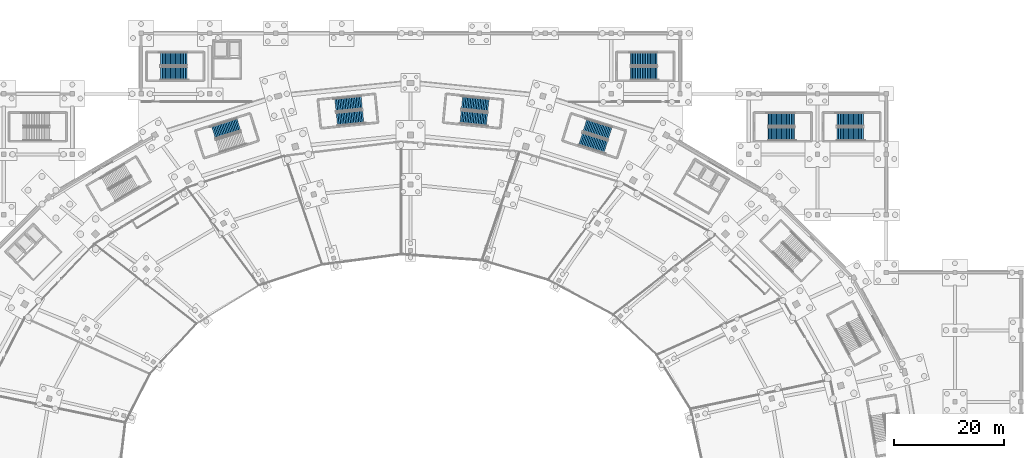
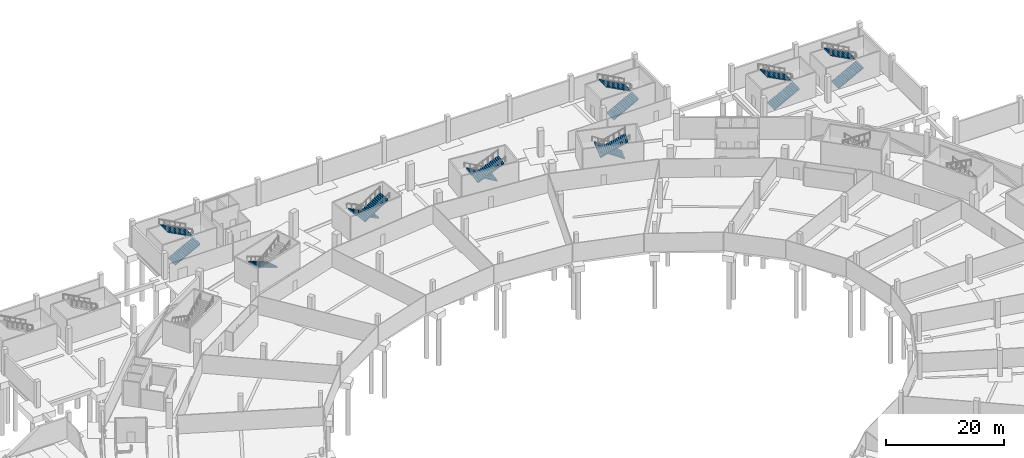
# One storey, part 51 of 74: 15 stair flights, 8 elements without a shape of their own.
"""IFC4 building model written with IfcOpenShell, lengths in metres."""

from ifc_helpers import new_model, si_unit, direction, frame, origin, place, context, subcontext, project, spatial, polyline, outline, extrude, material, type_object, element, aggregate, save


model = new_model("IFC4")

# Units and contexts
model_context = context("Model", 3, precision=1e-05, world=origin(), true_north=direction((0.0, 1.0)))
body_context = subcontext(model_context, "Body", "Model", "MODEL_VIEW")
ifc_project = project(units=[si_unit("LENGTHUNIT", "METRE"), si_unit("AREAUNIT", "SQUARE_METRE"), si_unit("VOLUMEUNIT", "CUBIC_METRE"), si_unit("PLANEANGLEUNIT", "RADIAN"), si_unit("MASSUNIT", "GRAM", prefix="KILO")], contexts=[model_context])

# Site, building, storey
site_placement = place(None, origin())
site = spatial("IfcSite", under=ifc_project, at=site_placement, CompositionType="ELEMENT")
building_placement = place(site_placement, origin())
building = spatial("IfcBuilding", under=site, at=building_placement, Name="Zlatoyarsky Gate Stadium", CompositionType="ELEMENT")
storey_placement = place(building_placement, frame((0.0, 0.0, -5.39990234375)))
storey = spatial("IfcBuildingStorey", under=building, at=storey_placement, Name="B1", CompositionType="ELEMENT", Elevation=-5.39990234375)

# Stair, stair flights
ifc_material = material(Name="Concrete C40/50", Category="concrete")
stair_type = type_object("IfcStairType", Name="CONCRETE DOGLEG EXIT STAIR H5400", PredefinedType="TWO_STRAIGHT_RUN_STAIR", material=ifc_material)
stair_1_placement = place(storey_placement, origin())
stair_1 = element("IfcStair", 1, at=stair_1_placement, inside=storey, type_object=stair_type, Name="B1 Exit Stair ST-03", PredefinedType="TWO_STRAIGHT_RUN_STAIR")
stair_flight_type = type_object("IfcStairFlightType", Name="CONCRETE STAIR FLIGHT 2400 H5400", PredefinedType="STRAIGHT", material=ifc_material)
stair_flight_1_placement = place(storey_placement, frame((147.29150390625, 141.820068359375, 0.0), z_axis=(0.0, 0.0, 1.0), x_axis=(-0.953463118711, 0.301509670257, 0.0)))
stair_flight_1 = element("IfcStairFlight", 2, at=stair_flight_1_placement, type_object=stair_flight_type, Name="ST-DG54 flight 1", NumberOfRisers=17, NumberOfTreads=16, PredefinedType="STRAIGHT", RiserHeight=0.158823529, TreadLength=0.3, context=body_context, shape_type="SweptSolid", body=[
    extrude(outline(polyline([(-0.006103515625, -0.180908203125), (-0.006103515625, 0.0), (0.0, 0.0), (0.0, 0.158935546875), (0.300048828125, 0.158935546875), (0.300048828125, 0.317626953125), (0.60009765625, 0.317626953125), (0.60009765625, 0.4765625), (0.89990234375, 0.4765625), (0.89990234375, 0.63525390625), (1.199951171875, 0.63525390625), (1.199951171875, 0.794189453125), (1.5, 0.794189453125), (1.5, 0.952880859375), (1.800048828125, 0.952880859375), (1.800048828125, 1.11181640625), (2.10009765625, 1.11181640625), (2.10009765625, 1.2705078125), (2.39990234375, 1.2705078125), (2.39990234375, 1.429443359375), (2.699951171875, 1.429443359375), (2.699951171875, 1.588134765625), (3.0, 1.588134765625), (3.0, 1.7470703125), (3.300048828125, 1.7470703125), (3.300048828125, 1.90576171875), (3.60009765625, 1.90576171875), (3.60009765625, 2.064697265625), (3.89990234375, 2.064697265625), (3.89990234375, 2.2236328125), (4.199951171875, 2.2236328125), (4.199951171875, 2.38232421875), (4.5, 2.38232421875), (4.5, 2.541259765625), (4.800048828125, 2.541259765625), (4.800048828125, 2.699951171875), (4.805908203125, 2.699951171875), (4.805908203125, 2.3603515625), (4.800048828125, 2.3603515625), (-0.006103515625, -0.180908203125)])), frame((0.0, 1.199951171875, 0.0), z_axis=(0.0, -1.0, 0.0), x_axis=(1.0, 0.0, 0.0)), (0.0, 0.0, 1.0), 2.39990234375),
])
stair_flight_2_placement = place(storey_placement, frame((141.930908203125, 140.788330078125, 2.699951171875), z_axis=(0.0, 0.0, 1.0), x_axis=(0.953463118711, -0.301509670257, 0.0)))
stair_flight_2 = element("IfcStairFlight", 3, at=stair_flight_2_placement, type_object=stair_flight_type, Name="ST-DG54 flight 2", NumberOfRisers=17, NumberOfTreads=16, PredefinedType="STRAIGHT", RiserHeight=0.158823529, TreadLength=0.3, context=body_context, shape_type="SweptSolid", body=[
    extrude(outline(polyline([(-0.006103515625, -0.180908203125), (-0.006103515625, 0.0), (0.0, 0.0), (0.0, 0.158935546875), (0.300048828125, 0.158935546875), (0.300048828125, 0.317626953125), (0.60009765625, 0.317626953125), (0.60009765625, 0.4765625), (0.89990234375, 0.4765625), (0.89990234375, 0.63525390625), (1.199951171875, 0.63525390625), (1.199951171875, 0.794189453125), (1.5, 0.794189453125), (1.5, 0.952880859375), (1.800048828125, 0.952880859375), (1.800048828125, 1.11181640625), (2.10009765625, 1.11181640625), (2.10009765625, 1.2705078125), (2.39990234375, 1.2705078125), (2.39990234375, 1.429443359375), (2.699951171875, 1.429443359375), (2.699951171875, 1.588134765625), (3.0, 1.588134765625), (3.0, 1.7470703125), (3.300048828125, 1.7470703125), (3.300048828125, 1.90576171875), (3.60009765625, 1.90576171875), (3.60009765625, 2.064697265625), (3.89990234375, 2.064697265625), (3.89990234375, 2.2236328125), (4.199951171875, 2.2236328125), (4.199951171875, 2.38232421875), (4.5, 2.38232421875), (4.5, 2.541259765625), (4.800048828125, 2.541259765625), (4.800048828125, 2.699951171875), (4.805908203125, 2.699951171875), (4.805908203125, 2.3603515625), (4.800048828125, 2.3603515625), (-0.006103515625, -0.180908203125)])), frame((0.0, 1.199951171875, 0.0), z_axis=(0.0, -1.0, 0.0), x_axis=(1.0, 0.0, 0.0)), (0.0, 0.0, 1.0), 2.39990234375),
])
aggregate(stair_1, [stair_flight_1, stair_flight_2])

stair_2_placement = place(storey_placement, origin())
stair_2 = element("IfcStair", 4, at=stair_2_placement, inside=storey, type_object=stair_type, Name="B1 Exit Stair ST-04", PredefinedType="TWO_STRAIGHT_RUN_STAIR")
stair_flight_3_placement = place(storey_placement, frame((102.123779296875, 147.4267578125, 0.0), z_axis=(0.0, 0.0, 1.0), x_axis=(-0.994986861964, -0.100005722426, 0.0)))
stair_flight_3 = element("IfcStairFlight", 5, at=stair_flight_3_placement, type_object=stair_flight_type, Name="ST-DG54 flight 1", NumberOfRisers=17, NumberOfTreads=16, PredefinedType="STRAIGHT", RiserHeight=0.158823529, TreadLength=0.3, context=body_context, shape_type="SweptSolid", body=[
    extrude(outline(polyline([(-0.006103515625, -0.180908203125), (-0.006103515625, 0.0), (0.0, 0.0), (0.0, 0.158935546875), (0.300048828125, 0.158935546875), (0.300048828125, 0.317626953125), (0.60009765625, 0.317626953125), (0.60009765625, 0.4765625), (0.89990234375, 0.4765625), (0.89990234375, 0.63525390625), (1.199951171875, 0.63525390625), (1.199951171875, 0.794189453125), (1.5, 0.794189453125), (1.5, 0.952880859375), (1.800048828125, 0.952880859375), (1.800048828125, 1.11181640625), (2.10009765625, 1.11181640625), (2.10009765625, 1.2705078125), (2.39990234375, 1.2705078125), (2.39990234375, 1.429443359375), (2.699951171875, 1.429443359375), (2.699951171875, 1.588134765625), (3.0, 1.588134765625), (3.0, 1.7470703125), (3.300048828125, 1.7470703125), (3.300048828125, 1.90576171875), (3.60009765625, 1.90576171875), (3.60009765625, 2.064697265625), (3.89990234375, 2.064697265625), (3.89990234375, 2.2236328125), (4.199951171875, 2.2236328125), (4.199951171875, 2.38232421875), (4.5, 2.38232421875), (4.5, 2.541259765625), (4.800048828125, 2.541259765625), (4.800048828125, 2.699951171875), (4.805908203125, 2.699951171875), (4.805908203125, 2.3603515625), (4.800048828125, 2.3603515625), (-0.006103515625, -0.180908203125)])), frame((0.0, 1.199951171875, 0.0), z_axis=(0.0, -1.0, 0.0), x_axis=(1.0, 0.0, 0.0)), (0.0, 0.0, 1.0), 2.39990234375),
])
stair_flight_4_placement = place(storey_placement, frame((97.60791015625, 144.35986328125, 2.699951171875), z_axis=(0.0, 0.0, 1.0), x_axis=(0.994986861964, 0.100005722426, 0.0)))
stair_flight_4 = element("IfcStairFlight", 6, at=stair_flight_4_placement, type_object=stair_flight_type, Name="ST-DG54 flight 2", NumberOfRisers=17, NumberOfTreads=16, PredefinedType="STRAIGHT", RiserHeight=0.158823529, TreadLength=0.3, context=body_context, shape_type="SweptSolid", body=[
    extrude(outline(polyline([(-0.006103515625, -0.180908203125), (-0.006103515625, 0.0), (0.0, 0.0), (0.0, 0.158935546875), (0.300048828125, 0.158935546875), (0.300048828125, 0.317626953125), (0.60009765625, 0.317626953125), (0.60009765625, 0.4765625), (0.89990234375, 0.4765625), (0.89990234375, 0.63525390625), (1.199951171875, 0.63525390625), (1.199951171875, 0.794189453125), (1.5, 0.794189453125), (1.5, 0.952880859375), (1.800048828125, 0.952880859375), (1.800048828125, 1.11181640625), (2.10009765625, 1.11181640625), (2.10009765625, 1.2705078125), (2.39990234375, 1.2705078125), (2.39990234375, 1.429443359375), (2.699951171875, 1.429443359375), (2.699951171875, 1.588134765625), (3.0, 1.588134765625), (3.0, 1.7470703125), (3.300048828125, 1.7470703125), (3.300048828125, 1.90576171875), (3.60009765625, 1.90576171875), (3.60009765625, 2.064697265625), (3.89990234375, 2.064697265625), (3.89990234375, 2.2236328125), (4.199951171875, 2.2236328125), (4.199951171875, 2.38232421875), (4.5, 2.38232421875), (4.5, 2.541259765625), (4.800048828125, 2.541259765625), (4.800048828125, 2.699951171875), (4.805908203125, 2.699951171875), (4.805908203125, 2.3603515625), (4.800048828125, 2.3603515625), (-0.006103515625, -0.180908203125)])), frame((0.0, 1.199951171875, 0.0), z_axis=(0.0, -1.0, 0.0), x_axis=(1.0, 0.0, 0.0)), (0.0, 0.0, 1.0), 2.39990234375),
])
aggregate(stair_2, [stair_flight_3, stair_flight_4])

# Stair, stair flight
stair_3_placement = place(storey_placement, origin())
stair_3 = element("IfcStair", 7, at=stair_3_placement, inside=storey, type_object=stair_type, Name="B1 Exit Stair ST-14", PredefinedType="TWO_STRAIGHT_RUN_STAIR")
stair_flight_5_placement = place(storey_placement, frame((79.76171875, 143.41796875, 0.0), z_axis=(0.0, 0.0, 1.0), x_axis=(-0.953463118711, -0.301509670257, 0.0)))
stair_flight_5 = element("IfcStairFlight", 8, at=stair_flight_5_placement, type_object=stair_flight_type, Name="ST-DG54 flight 1", NumberOfRisers=17, NumberOfTreads=16, PredefinedType="STRAIGHT", RiserHeight=0.158823529, TreadLength=0.3, context=body_context, shape_type="SweptSolid", body=[
    extrude(outline(polyline([(-0.006103515625, -0.180908203125), (-0.006103515625, 0.0), (0.0, 0.0), (0.0, 0.158935546875), (0.300048828125, 0.158935546875), (0.300048828125, 0.317626953125), (0.60009765625, 0.317626953125), (0.60009765625, 0.4765625), (0.89990234375, 0.4765625), (0.89990234375, 0.63525390625), (1.199951171875, 0.63525390625), (1.199951171875, 0.794189453125), (1.5, 0.794189453125), (1.5, 0.952880859375), (1.800048828125, 0.952880859375), (1.800048828125, 1.11181640625), (2.10009765625, 1.11181640625), (2.10009765625, 1.2705078125), (2.39990234375, 1.2705078125), (2.39990234375, 1.429443359375), (2.699951171875, 1.429443359375), (2.699951171875, 1.588134765625), (3.0, 1.588134765625), (3.0, 1.7470703125), (3.300048828125, 1.7470703125), (3.300048828125, 1.90576171875), (3.60009765625, 1.90576171875), (3.60009765625, 2.064697265625), (3.89990234375, 2.064697265625), (3.89990234375, 2.2236328125), (4.199951171875, 2.2236328125), (4.199951171875, 2.38232421875), (4.5, 2.38232421875), (4.5, 2.541259765625), (4.800048828125, 2.541259765625), (4.800048828125, 2.699951171875), (4.805908203125, 2.699951171875), (4.805908203125, 2.3603515625), (4.800048828125, 2.3603515625), (-0.006103515625, -0.180908203125)])), frame((0.0, 1.199951171875, 0.0), z_axis=(0.0, -1.0, 0.0), x_axis=(1.0, 0.0, 0.0)), (0.0, 0.0, 1.0), 2.39990234375),
])
aggregate(stair_3, [stair_flight_5])

# Stair, stair flights
stair_4_placement = place(storey_placement, origin())
stair_4 = element("IfcStair", 9, at=stair_4_placement, inside=storey, type_object=stair_type, Name="B1 Exit Stair ST-17", PredefinedType="TWO_STRAIGHT_RUN_STAIR")
stair_flight_6_placement = place(storey_placement, frame((125.149658203125, 146.896728515625, 0.0), z_axis=(0.0, 0.0, 1.0), x_axis=(-0.994986861964, 0.100005722426, 0.0)))
stair_flight_6 = element("IfcStairFlight", 10, at=stair_flight_6_placement, type_object=stair_flight_type, Name="ST-DG54 flight 1", NumberOfRisers=17, NumberOfTreads=16, PredefinedType="STRAIGHT", RiserHeight=0.158823529, TreadLength=0.3, context=body_context, shape_type="SweptSolid", body=[
    extrude(outline(polyline([(-0.006103515625, -0.180908203125), (-0.006103515625, 0.0), (0.0, 0.0), (0.0, 0.158935546875), (0.300048828125, 0.158935546875), (0.300048828125, 0.317626953125), (0.60009765625, 0.317626953125), (0.60009765625, 0.4765625), (0.89990234375, 0.4765625), (0.89990234375, 0.63525390625), (1.199951171875, 0.63525390625), (1.199951171875, 0.794189453125), (1.5, 0.794189453125), (1.5, 0.952880859375), (1.800048828125, 0.952880859375), (1.800048828125, 1.11181640625), (2.10009765625, 1.11181640625), (2.10009765625, 1.2705078125), (2.39990234375, 1.2705078125), (2.39990234375, 1.429443359375), (2.699951171875, 1.429443359375), (2.699951171875, 1.588134765625), (3.0, 1.588134765625), (3.0, 1.7470703125), (3.300048828125, 1.7470703125), (3.300048828125, 1.90576171875), (3.60009765625, 1.90576171875), (3.60009765625, 2.064697265625), (3.89990234375, 2.064697265625), (3.89990234375, 2.2236328125), (4.199951171875, 2.2236328125), (4.199951171875, 2.38232421875), (4.5, 2.38232421875), (4.5, 2.541259765625), (4.800048828125, 2.541259765625), (4.800048828125, 2.699951171875), (4.805908203125, 2.699951171875), (4.805908203125, 2.3603515625), (4.800048828125, 2.3603515625), (-0.006103515625, -0.180908203125)])), frame((0.0, 1.199951171875, 0.0), z_axis=(0.0, -1.0, 0.0), x_axis=(1.0, 0.0, 0.0)), (0.0, 0.0, 1.0), 2.39990234375),
])
stair_flight_7_placement = place(storey_placement, frame((120.113525390625, 144.789794921875, 2.699951171875), z_axis=(0.0, 0.0, 1.0), x_axis=(0.994986861964, -0.100005722426, 0.0)))
stair_flight_7 = element("IfcStairFlight", 11, at=stair_flight_7_placement, type_object=stair_flight_type, Name="ST-DG54 flight 2", NumberOfRisers=17, NumberOfTreads=16, PredefinedType="STRAIGHT", RiserHeight=0.158823529, TreadLength=0.3, context=body_context, shape_type="SweptSolid", body=[
    extrude(outline(polyline([(-0.006103515625, -0.180908203125), (-0.006103515625, 0.0), (0.0, 0.0), (0.0, 0.158935546875), (0.300048828125, 0.158935546875), (0.300048828125, 0.317626953125), (0.60009765625, 0.317626953125), (0.60009765625, 0.4765625), (0.89990234375, 0.4765625), (0.89990234375, 0.63525390625), (1.199951171875, 0.63525390625), (1.199951171875, 0.794189453125), (1.5, 0.794189453125), (1.5, 0.952880859375), (1.800048828125, 0.952880859375), (1.800048828125, 1.11181640625), (2.10009765625, 1.11181640625), (2.10009765625, 1.2705078125), (2.39990234375, 1.2705078125), (2.39990234375, 1.429443359375), (2.699951171875, 1.429443359375), (2.699951171875, 1.588134765625), (3.0, 1.588134765625), (3.0, 1.7470703125), (3.300048828125, 1.7470703125), (3.300048828125, 1.90576171875), (3.60009765625, 1.90576171875), (3.60009765625, 2.064697265625), (3.89990234375, 2.064697265625), (3.89990234375, 2.2236328125), (4.199951171875, 2.2236328125), (4.199951171875, 2.38232421875), (4.5, 2.38232421875), (4.5, 2.541259765625), (4.800048828125, 2.541259765625), (4.800048828125, 2.699951171875), (4.805908203125, 2.699951171875), (4.805908203125, 2.3603515625), (4.800048828125, 2.3603515625), (-0.006103515625, -0.180908203125)])), frame((0.0, 1.199951171875, 0.0), z_axis=(0.0, -1.0, 0.0), x_axis=(1.0, 0.0, 0.0)), (0.0, 0.0, 1.0), 2.39990234375),
])
aggregate(stair_4, [stair_flight_6, stair_flight_7])

stair_5_placement = place(storey_placement, origin())
stair_5 = element("IfcStair", 12, at=stair_5_placement, inside=storey, type_object=stair_type, Name="B1 Exit Stair ST-27", PredefinedType="TWO_STRAIGHT_RUN_STAIR")
stair_flight_8_placement = place(storey_placement, frame((176.050048828125, 141.699951171875, 0.0), z_axis=(0.0, 0.0, 1.0), x_axis=(1.0, 0.0, 0.0)))
stair_flight_8 = element("IfcStairFlight", 13, at=stair_flight_8_placement, type_object=stair_flight_type, Name="ST-DG54 flight 1", NumberOfRisers=17, NumberOfTreads=16, PredefinedType="STRAIGHT", RiserHeight=0.158823529, TreadLength=0.3, context=body_context, shape_type="SweptSolid", body=[
    extrude(outline(polyline([(-0.006103515625, -0.180908203125), (-0.006103515625, 0.0), (0.0, 0.0), (0.0, 0.158935546875), (0.300048828125, 0.158935546875), (0.300048828125, 0.317626953125), (0.60009765625, 0.317626953125), (0.60009765625, 0.4765625), (0.89990234375, 0.4765625), (0.89990234375, 0.63525390625), (1.199951171875, 0.63525390625), (1.199951171875, 0.794189453125), (1.5, 0.794189453125), (1.5, 0.952880859375), (1.800048828125, 0.952880859375), (1.800048828125, 1.11181640625), (2.10009765625, 1.11181640625), (2.10009765625, 1.2705078125), (2.39990234375, 1.2705078125), (2.39990234375, 1.429443359375), (2.699951171875, 1.429443359375), (2.699951171875, 1.588134765625), (3.0, 1.588134765625), (3.0, 1.7470703125), (3.300048828125, 1.7470703125), (3.300048828125, 1.90576171875), (3.60009765625, 1.90576171875), (3.60009765625, 2.064697265625), (3.89990234375, 2.064697265625), (3.89990234375, 2.2236328125), (4.199951171875, 2.2236328125), (4.199951171875, 2.38232421875), (4.5, 2.38232421875), (4.5, 2.541259765625), (4.800048828125, 2.541259765625), (4.800048828125, 2.699951171875), (4.805908203125, 2.699951171875), (4.805908203125, 2.3603515625), (4.800048828125, 2.3603515625), (-0.006103515625, -0.180908203125)])), frame((0.0, 1.199951171875, 0.0), z_axis=(0.0, -1.0, 0.0), x_axis=(1.0, 0.0, 0.0)), (0.0, 0.0, 1.0), 2.39990234375),
])
stair_flight_9_placement = place(storey_placement, frame((180.85009765625, 144.300048828125, 2.699951171875), z_axis=(0.0, 0.0, 1.0), x_axis=(-1.0, 0.0, 0.0)))
stair_flight_9 = element("IfcStairFlight", 14, at=stair_flight_9_placement, type_object=stair_flight_type, Name="ST-DG54 flight 2", NumberOfRisers=17, NumberOfTreads=16, PredefinedType="STRAIGHT", RiserHeight=0.158823529, TreadLength=0.3, context=body_context, shape_type="SweptSolid", body=[
    extrude(outline(polyline([(-0.006103515625, -0.180908203125), (-0.006103515625, 0.0), (0.0, 0.0), (0.0, 0.158935546875), (0.300048828125, 0.158935546875), (0.300048828125, 0.317626953125), (0.60009765625, 0.317626953125), (0.60009765625, 0.4765625), (0.89990234375, 0.4765625), (0.89990234375, 0.63525390625), (1.199951171875, 0.63525390625), (1.199951171875, 0.794189453125), (1.5, 0.794189453125), (1.5, 0.952880859375), (1.800048828125, 0.952880859375), (1.800048828125, 1.11181640625), (2.10009765625, 1.11181640625), (2.10009765625, 1.2705078125), (2.39990234375, 1.2705078125), (2.39990234375, 1.429443359375), (2.699951171875, 1.429443359375), (2.699951171875, 1.588134765625), (3.0, 1.588134765625), (3.0, 1.7470703125), (3.300048828125, 1.7470703125), (3.300048828125, 1.90576171875), (3.60009765625, 1.90576171875), (3.60009765625, 2.064697265625), (3.89990234375, 2.064697265625), (3.89990234375, 2.2236328125), (4.199951171875, 2.2236328125), (4.199951171875, 2.38232421875), (4.5, 2.38232421875), (4.5, 2.541259765625), (4.800048828125, 2.541259765625), (4.800048828125, 2.699951171875), (4.805908203125, 2.699951171875), (4.805908203125, 2.3603515625), (4.800048828125, 2.3603515625), (-0.006103515625, -0.180908203125)])), frame((0.0, 1.199951171875, 0.0), z_axis=(0.0, -1.0, 0.0), x_axis=(1.0, 0.0, 0.0)), (0.0, 0.0, 1.0), 2.39990234375),
])
aggregate(stair_5, [stair_flight_8, stair_flight_9])

stair_6_placement = place(storey_placement, origin())
stair_6 = element("IfcStair", 15, at=stair_6_placement, inside=storey, type_object=stair_type, Name="B1 Exit Stair ST-28", PredefinedType="TWO_STRAIGHT_RUN_STAIR")
stair_flight_10_placement = place(storey_placement, frame((188.550048828125, 141.699951171875, 0.0), z_axis=(0.0, 0.0, 1.0), x_axis=(1.0, 0.0, 0.0)))
stair_flight_10 = element("IfcStairFlight", 16, at=stair_flight_10_placement, type_object=stair_flight_type, Name="ST-DG54 flight 1", NumberOfRisers=17, NumberOfTreads=16, PredefinedType="STRAIGHT", RiserHeight=0.158823529, TreadLength=0.3, context=body_context, shape_type="SweptSolid", body=[
    extrude(outline(polyline([(-0.006103515625, -0.180908203125), (-0.006103515625, 0.0), (0.0, 0.0), (0.0, 0.158935546875), (0.300048828125, 0.158935546875), (0.300048828125, 0.317626953125), (0.60009765625, 0.317626953125), (0.60009765625, 0.4765625), (0.89990234375, 0.4765625), (0.89990234375, 0.63525390625), (1.199951171875, 0.63525390625), (1.199951171875, 0.794189453125), (1.5, 0.794189453125), (1.5, 0.952880859375), (1.800048828125, 0.952880859375), (1.800048828125, 1.11181640625), (2.10009765625, 1.11181640625), (2.10009765625, 1.2705078125), (2.39990234375, 1.2705078125), (2.39990234375, 1.429443359375), (2.699951171875, 1.429443359375), (2.699951171875, 1.588134765625), (3.0, 1.588134765625), (3.0, 1.7470703125), (3.300048828125, 1.7470703125), (3.300048828125, 1.90576171875), (3.60009765625, 1.90576171875), (3.60009765625, 2.064697265625), (3.89990234375, 2.064697265625), (3.89990234375, 2.2236328125), (4.199951171875, 2.2236328125), (4.199951171875, 2.38232421875), (4.5, 2.38232421875), (4.5, 2.541259765625), (4.800048828125, 2.541259765625), (4.800048828125, 2.699951171875), (4.805908203125, 2.699951171875), (4.805908203125, 2.3603515625), (4.800048828125, 2.3603515625), (-0.006103515625, -0.180908203125)])), frame((0.0, 1.199951171875, 0.0), z_axis=(0.0, -1.0, 0.0), x_axis=(1.0, 0.0, 0.0)), (0.0, 0.0, 1.0), 2.39990234375),
])
stair_flight_11_placement = place(storey_placement, frame((193.35009765625, 144.300048828125, 2.699951171875), z_axis=(0.0, 0.0, 1.0), x_axis=(-1.0, 0.0, 0.0)))
stair_flight_11 = element("IfcStairFlight", 17, at=stair_flight_11_placement, type_object=stair_flight_type, Name="ST-DG54 flight 2", NumberOfRisers=17, NumberOfTreads=16, PredefinedType="STRAIGHT", RiserHeight=0.158823529, TreadLength=0.3, context=body_context, shape_type="SweptSolid", body=[
    extrude(outline(polyline([(-0.006103515625, -0.180908203125), (-0.006103515625, 0.0), (0.0, 0.0), (0.0, 0.158935546875), (0.300048828125, 0.158935546875), (0.300048828125, 0.317626953125), (0.60009765625, 0.317626953125), (0.60009765625, 0.4765625), (0.89990234375, 0.4765625), (0.89990234375, 0.63525390625), (1.199951171875, 0.63525390625), (1.199951171875, 0.794189453125), (1.5, 0.794189453125), (1.5, 0.952880859375), (1.800048828125, 0.952880859375), (1.800048828125, 1.11181640625), (2.10009765625, 1.11181640625), (2.10009765625, 1.2705078125), (2.39990234375, 1.2705078125), (2.39990234375, 1.429443359375), (2.699951171875, 1.429443359375), (2.699951171875, 1.588134765625), (3.0, 1.588134765625), (3.0, 1.7470703125), (3.300048828125, 1.7470703125), (3.300048828125, 1.90576171875), (3.60009765625, 1.90576171875), (3.60009765625, 2.064697265625), (3.89990234375, 2.064697265625), (3.89990234375, 2.2236328125), (4.199951171875, 2.2236328125), (4.199951171875, 2.38232421875), (4.5, 2.38232421875), (4.5, 2.541259765625), (4.800048828125, 2.541259765625), (4.800048828125, 2.699951171875), (4.805908203125, 2.699951171875), (4.805908203125, 2.3603515625), (4.800048828125, 2.3603515625), (-0.006103515625, -0.180908203125)])), frame((0.0, 1.199951171875, 0.0), z_axis=(0.0, -1.0, 0.0), x_axis=(1.0, 0.0, 0.0)), (0.0, 0.0, 1.0), 2.39990234375),
])
aggregate(stair_6, [stair_flight_10, stair_flight_11])

stair_7_placement = place(storey_placement, origin())
stair_7 = element("IfcStair", 18, at=stair_7_placement, inside=storey, type_object=stair_type, Name="B1 Exit Stair ST-31", PredefinedType="TWO_STRAIGHT_RUN_STAIR")
stair_flight_12_placement = place(storey_placement, frame((65.550048828125, 152.699951171875, 0.0), z_axis=(0.0, 0.0, 1.0), x_axis=(1.0, 0.0, 0.0)))
stair_flight_12 = element("IfcStairFlight", 19, at=stair_flight_12_placement, type_object=stair_flight_type, Name="ST-DG54 flight 1", NumberOfRisers=17, NumberOfTreads=16, PredefinedType="STRAIGHT", RiserHeight=0.158823529, TreadLength=0.3, context=body_context, shape_type="SweptSolid", body=[
    extrude(outline(polyline([(-0.006103515625, -0.180908203125), (-0.006103515625, 0.0), (0.0, 0.0), (0.0, 0.158935546875), (0.300048828125, 0.158935546875), (0.300048828125, 0.317626953125), (0.60009765625, 0.317626953125), (0.60009765625, 0.4765625), (0.89990234375, 0.4765625), (0.89990234375, 0.63525390625), (1.199951171875, 0.63525390625), (1.199951171875, 0.794189453125), (1.5, 0.794189453125), (1.5, 0.952880859375), (1.800048828125, 0.952880859375), (1.800048828125, 1.11181640625), (2.10009765625, 1.11181640625), (2.10009765625, 1.2705078125), (2.39990234375, 1.2705078125), (2.39990234375, 1.429443359375), (2.699951171875, 1.429443359375), (2.699951171875, 1.588134765625), (3.0, 1.588134765625), (3.0, 1.7470703125), (3.300048828125, 1.7470703125), (3.300048828125, 1.90576171875), (3.60009765625, 1.90576171875), (3.60009765625, 2.064697265625), (3.89990234375, 2.064697265625), (3.89990234375, 2.2236328125), (4.199951171875, 2.2236328125), (4.199951171875, 2.38232421875), (4.5, 2.38232421875), (4.5, 2.541259765625), (4.800048828125, 2.541259765625), (4.800048828125, 2.699951171875), (4.805908203125, 2.699951171875), (4.805908203125, 2.3603515625), (4.800048828125, 2.3603515625), (-0.006103515625, -0.180908203125)])), frame((0.0, 1.199951171875, 0.0), z_axis=(0.0, -1.0, 0.0), x_axis=(1.0, 0.0, 0.0)), (0.0, 0.0, 1.0), 2.39990234375),
])
stair_flight_13_placement = place(storey_placement, frame((70.35009765625, 155.300048828125, 2.699951171875), z_axis=(0.0, 0.0, 1.0), x_axis=(-1.0, 0.0, 0.0)))
stair_flight_13 = element("IfcStairFlight", 20, at=stair_flight_13_placement, type_object=stair_flight_type, Name="ST-DG54 flight 2", NumberOfRisers=17, NumberOfTreads=16, PredefinedType="STRAIGHT", RiserHeight=0.158823529, TreadLength=0.3, context=body_context, shape_type="SweptSolid", body=[
    extrude(outline(polyline([(-0.006103515625, -0.180908203125), (-0.006103515625, 0.0), (0.0, 0.0), (0.0, 0.158935546875), (0.300048828125, 0.158935546875), (0.300048828125, 0.317626953125), (0.60009765625, 0.317626953125), (0.60009765625, 0.4765625), (0.89990234375, 0.4765625), (0.89990234375, 0.63525390625), (1.199951171875, 0.63525390625), (1.199951171875, 0.794189453125), (1.5, 0.794189453125), (1.5, 0.952880859375), (1.800048828125, 0.952880859375), (1.800048828125, 1.11181640625), (2.10009765625, 1.11181640625), (2.10009765625, 1.2705078125), (2.39990234375, 1.2705078125), (2.39990234375, 1.429443359375), (2.699951171875, 1.429443359375), (2.699951171875, 1.588134765625), (3.0, 1.588134765625), (3.0, 1.7470703125), (3.300048828125, 1.7470703125), (3.300048828125, 1.90576171875), (3.60009765625, 1.90576171875), (3.60009765625, 2.064697265625), (3.89990234375, 2.064697265625), (3.89990234375, 2.2236328125), (4.199951171875, 2.2236328125), (4.199951171875, 2.38232421875), (4.5, 2.38232421875), (4.5, 2.541259765625), (4.800048828125, 2.541259765625), (4.800048828125, 2.699951171875), (4.805908203125, 2.699951171875), (4.805908203125, 2.3603515625), (4.800048828125, 2.3603515625), (-0.006103515625, -0.180908203125)])), frame((0.0, 1.199951171875, 0.0), z_axis=(0.0, -1.0, 0.0), x_axis=(1.0, 0.0, 0.0)), (0.0, 0.0, 1.0), 2.39990234375),
])
aggregate(stair_7, [stair_flight_12, stair_flight_13])

stair_8_placement = place(storey_placement, origin())
stair_8 = element("IfcStair", 21, at=stair_8_placement, inside=storey, type_object=stair_type, Name="B1 Exit Stair ST-32", PredefinedType="TWO_STRAIGHT_RUN_STAIR")
stair_flight_14_placement = place(storey_placement, frame((151.050048828125, 152.699951171875, 0.0), z_axis=(0.0, 0.0, 1.0), x_axis=(1.0, 0.0, 0.0)))
stair_flight_14 = element("IfcStairFlight", 22, at=stair_flight_14_placement, type_object=stair_flight_type, Name="ST-DG54 flight 1", NumberOfRisers=17, NumberOfTreads=16, PredefinedType="STRAIGHT", RiserHeight=0.158823529, TreadLength=0.3, context=body_context, shape_type="SweptSolid", body=[
    extrude(outline(polyline([(-0.006103515625, -0.180908203125), (-0.006103515625, 0.0), (0.0, 0.0), (0.0, 0.158935546875), (0.300048828125, 0.158935546875), (0.300048828125, 0.317626953125), (0.60009765625, 0.317626953125), (0.60009765625, 0.4765625), (0.89990234375, 0.4765625), (0.89990234375, 0.63525390625), (1.199951171875, 0.63525390625), (1.199951171875, 0.794189453125), (1.5, 0.794189453125), (1.5, 0.952880859375), (1.800048828125, 0.952880859375), (1.800048828125, 1.11181640625), (2.10009765625, 1.11181640625), (2.10009765625, 1.2705078125), (2.39990234375, 1.2705078125), (2.39990234375, 1.429443359375), (2.699951171875, 1.429443359375), (2.699951171875, 1.588134765625), (3.0, 1.588134765625), (3.0, 1.7470703125), (3.300048828125, 1.7470703125), (3.300048828125, 1.90576171875), (3.60009765625, 1.90576171875), (3.60009765625, 2.064697265625), (3.89990234375, 2.064697265625), (3.89990234375, 2.2236328125), (4.199951171875, 2.2236328125), (4.199951171875, 2.38232421875), (4.5, 2.38232421875), (4.5, 2.541259765625), (4.800048828125, 2.541259765625), (4.800048828125, 2.699951171875), (4.805908203125, 2.699951171875), (4.805908203125, 2.3603515625), (4.800048828125, 2.3603515625), (-0.006103515625, -0.180908203125)])), frame((0.0, 1.199951171875, 0.0), z_axis=(0.0, -1.0, 0.0), x_axis=(1.0, 0.0, 0.0)), (0.0, 0.0, 1.0), 2.39990234375),
])
stair_flight_15_placement = place(storey_placement, frame((155.85009765625, 155.300048828125, 2.699951171875), z_axis=(0.0, 0.0, 1.0), x_axis=(-1.0, 0.0, 0.0)))
stair_flight_15 = element("IfcStairFlight", 23, at=stair_flight_15_placement, type_object=stair_flight_type, Name="ST-DG54 flight 2", NumberOfRisers=17, NumberOfTreads=16, PredefinedType="STRAIGHT", RiserHeight=0.158823529, TreadLength=0.3, context=body_context, shape_type="SweptSolid", body=[
    extrude(outline(polyline([(-0.006103515625, -0.180908203125), (-0.006103515625, 0.0), (0.0, 0.0), (0.0, 0.158935546875), (0.300048828125, 0.158935546875), (0.300048828125, 0.317626953125), (0.60009765625, 0.317626953125), (0.60009765625, 0.4765625), (0.89990234375, 0.4765625), (0.89990234375, 0.63525390625), (1.199951171875, 0.63525390625), (1.199951171875, 0.794189453125), (1.5, 0.794189453125), (1.5, 0.952880859375), (1.800048828125, 0.952880859375), (1.800048828125, 1.11181640625), (2.10009765625, 1.11181640625), (2.10009765625, 1.2705078125), (2.39990234375, 1.2705078125), (2.39990234375, 1.429443359375), (2.699951171875, 1.429443359375), (2.699951171875, 1.588134765625), (3.0, 1.588134765625), (3.0, 1.7470703125), (3.300048828125, 1.7470703125), (3.300048828125, 1.90576171875), (3.60009765625, 1.90576171875), (3.60009765625, 2.064697265625), (3.89990234375, 2.064697265625), (3.89990234375, 2.2236328125), (4.199951171875, 2.2236328125), (4.199951171875, 2.38232421875), (4.5, 2.38232421875), (4.5, 2.541259765625), (4.800048828125, 2.541259765625), (4.800048828125, 2.699951171875), (4.805908203125, 2.699951171875), (4.805908203125, 2.3603515625), (4.800048828125, 2.3603515625), (-0.006103515625, -0.180908203125)])), frame((0.0, 1.199951171875, 0.0), z_axis=(0.0, -1.0, 0.0), x_axis=(1.0, 0.0, 0.0)), (0.0, 0.0, 1.0), 2.39990234375),
])
aggregate(stair_8, [stair_flight_14, stair_flight_15])

save(model, "model.ifc")
